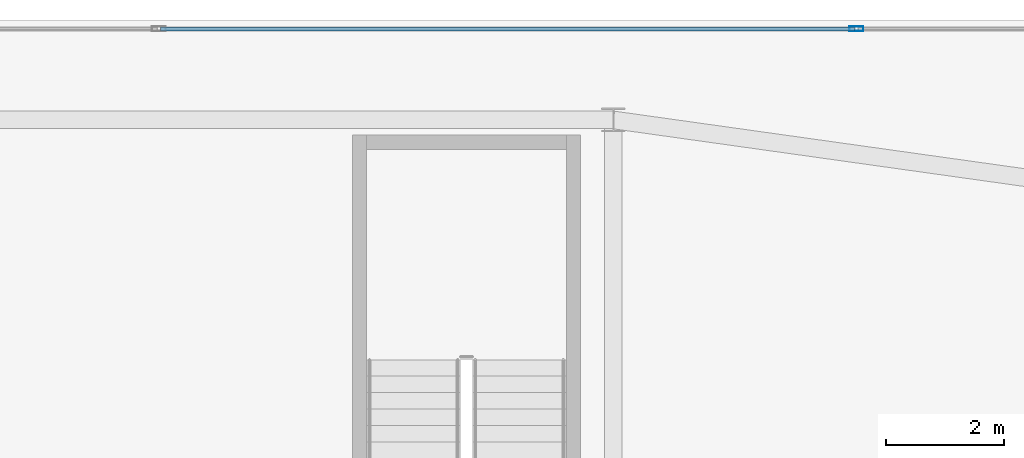
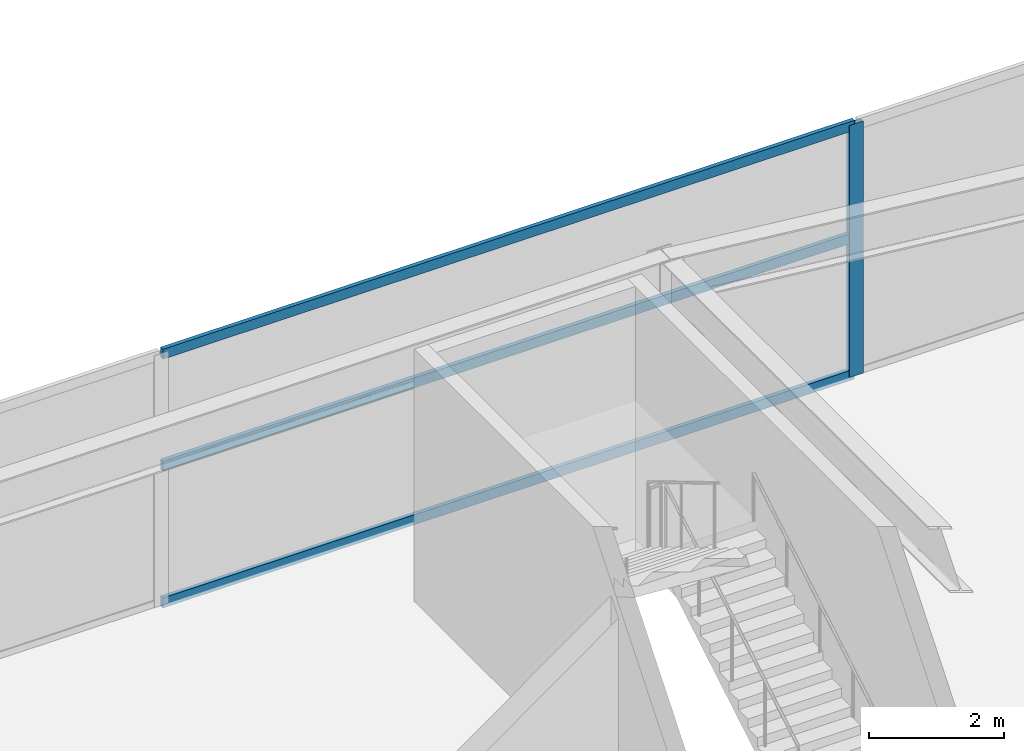
# One storey, part 20 of 30: 4 members, 1 element without a shape of its own.
"""IFC4 building model written with IfcOpenShell, lengths in metres."""

from ifc_helpers import new_model, si_unit, direction, frame, origin, origin_2d, place, context, subcontext, project, spatial, hollow_rectangle, extrude, material, layer, layer_set, material_profile, profile_set, type_object, element, aggregate, save


model = new_model("IFC4")

# Units and contexts
model_context = context("Model", 3, precision=1e-05, world=origin(), true_north=direction((0.0, 1.0)))
body_context = subcontext(model_context, "Body", "Model", "MODEL_VIEW")
ifc_project = project(units=[si_unit("LENGTHUNIT", "METRE"), si_unit("AREAUNIT", "SQUARE_METRE"), si_unit("VOLUMEUNIT", "CUBIC_METRE"), si_unit("PLANEANGLEUNIT", "RADIAN"), si_unit("MASSUNIT", "GRAM", prefix="KILO")], contexts=[model_context])

# Site, building, storey
site_placement = place(None, origin())
site = spatial("IfcSite", under=ifc_project, at=site_placement, CompositionType="ELEMENT")
building_placement = place(site_placement, origin())
building = spatial("IfcBuilding", under=site, at=building_placement, Name="Calvorn Quay Hotel", CompositionType="ELEMENT")
storey_placement = place(building_placement, frame((0.0, 0.0, 17.0)))
storey = spatial("IfcBuildingStorey", under=building, at=storey_placement, Name="L03", CompositionType="ELEMENT", Elevation=17.0)

# Curtain wall, members
ifc_material_1 = material(Name="Pale Anodised Aluminium and Low-E Glass", Category="aluminium")
ifc_layer = layer(ifc_material_1, 0.219970703125)
ifc_layer_set = layer_set([ifc_layer], Name="CW-SYS-POD")
curtain_wall_type = type_object("IfcCurtainWallType", Name="CW-SYS-POD", PredefinedType="NOTDEFINED", material=ifc_layer_set)
curtain_wall_placement = place(storey_placement, origin())
curtain_wall = element("IfcCurtainWall", 1, at=curtain_wall_placement, inside=storey, type_object=curtain_wall_type, Name="Podium Curtain Wall L03-N1", PredefinedType="NOTDEFINED")
ifc_material_2 = material(Name="Pale Anodised Aluminium 6063-T6", Category="aluminium")
ifc_material_profile_1 = material_profile(ifc_material_2, hollow_rectangle(XDim=0.080078125, YDim=0.239990234375, WallThickness=0.0048828125, at=origin_2d()), Name="ALU-M240x80x5")
ifc_profile_set_1 = profile_set([ifc_material_profile_1], Name="Pale Anodised Aluminium 6063-T6")
member_type_1 = type_object("IfcMemberType", Name="CW-SYS-POD-MUL", PredefinedType="MULLION", material=ifc_profile_set_1)
member_1_placement = place(storey_placement, frame((61.7333984375, 55.35009765625, 0.0), z_axis=(0.0, 0.0, 1.0), x_axis=(0.0, 1.0, 0.0)))
member_1 = element("IfcMember", 2, at=member_1_placement, type_object=member_type_1, Name="CW-L03-N1 mullion 6", PredefinedType="MULLION", context=body_context, shape_type="SweptSolid", body=[
    extrude(hollow_rectangle(XDim=0.080078125, YDim=0.239990234375, WallThickness=0.0048828125, at=origin_2d()), origin(), (0.0, 0.0, 1.0), 4.550048828125),
])
ifc_material_3 = material(Name="Pale Anodised Aluminium 6063-T6", Category="aluminium")
ifc_material_profile_2 = material_profile(ifc_material_3, hollow_rectangle(XDim=0.070068359375, YDim=0.179931640625, WallThickness=0.00390625, at=origin_2d()), Name="ALU-T180x70x4")
ifc_profile_set_2 = profile_set([ifc_material_profile_2], Name="Pale Anodised Aluminium 6063-T6")
member_type_2 = type_object("IfcMemberType", Name="CW-SYS-POD-TRN", PredefinedType="USERDEFINED", material=ifc_profile_set_2)
member_2_placement = place(storey_placement, frame((49.896728515625, 55.35009765625, 0.030029296875), z_axis=(1.0, 0.0, 0.0), x_axis=(0.0, 1.0, 0.0)))
member_2 = element("IfcMember", 3, at=member_2_placement, type_object=member_type_2, Name="CW-L03-N1 transom 5.1", ObjectType="TRANSOM", PredefinedType="USERDEFINED", context=body_context, shape_type="SweptSolid", body=[
    extrude(hollow_rectangle(XDim=0.070068359375, YDim=0.179931640625, WallThickness=0.00390625, at=origin_2d()), origin(), (0.0, 0.0, 1.0), 11.806640625),
])
member_3_placement = place(storey_placement, frame((49.896728515625, 55.35009765625, 2.5), z_axis=(1.0, 0.0, 0.0), x_axis=(0.0, 1.0, 0.0)))
member_3 = element("IfcMember", 4, at=member_3_placement, type_object=member_type_2, Name="CW-L03-N1 transom 5.2", ObjectType="TRANSOM", PredefinedType="USERDEFINED", context=body_context, shape_type="SweptSolid", body=[
    extrude(hollow_rectangle(XDim=0.070068359375, YDim=0.179931640625, WallThickness=0.00390625, at=origin_2d()), origin(), (0.0, 0.0, 1.0), 11.806640625),
])
member_4_placement = place(storey_placement, frame((49.896728515625, 55.35009765625, 4.52001953125), z_axis=(1.0, 0.0, 0.0), x_axis=(0.0, 1.0, 0.0)))
member_4 = element("IfcMember", 5, at=member_4_placement, type_object=member_type_2, Name="CW-L03-N1 transom 5.3", ObjectType="TRANSOM", PredefinedType="USERDEFINED", context=body_context, shape_type="SweptSolid", body=[
    extrude(hollow_rectangle(XDim=0.070068359375, YDim=0.179931640625, WallThickness=0.00390625, at=origin_2d()), origin(), (0.0, 0.0, 1.0), 11.806640625),
])
aggregate(curtain_wall, [member_1, member_2, member_3, member_4])

save(model, "model.ifc")
